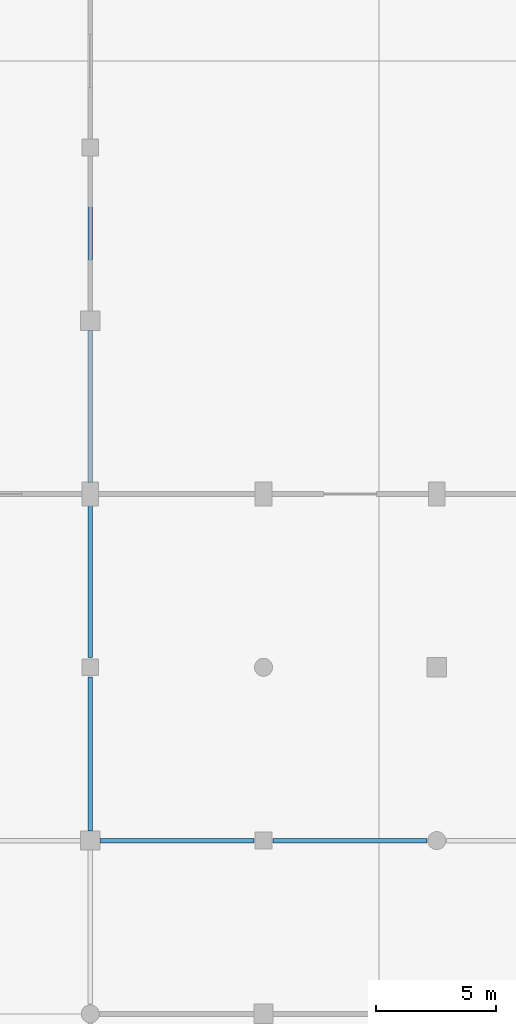
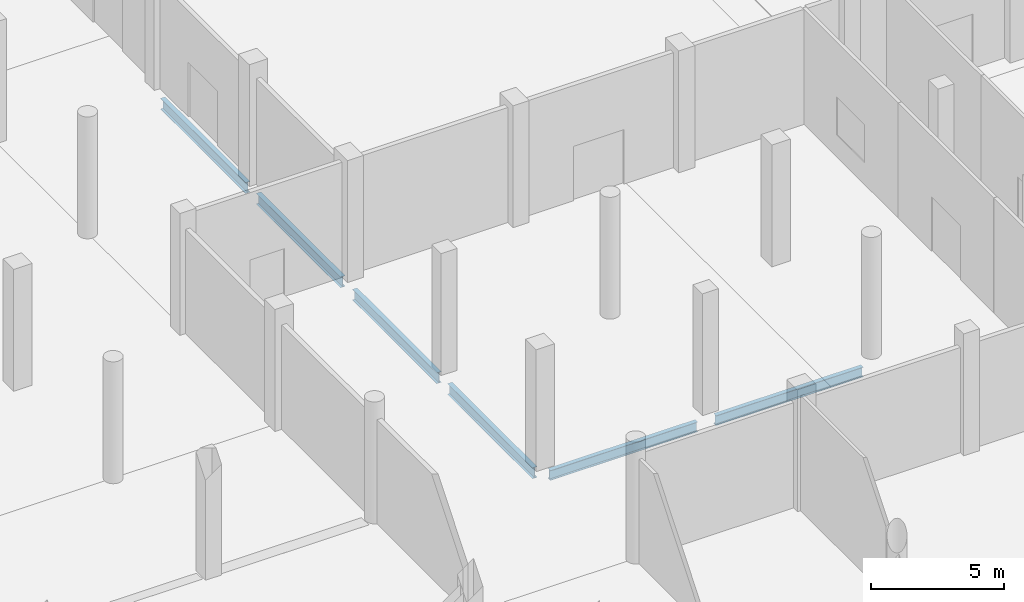
# One storey, part 19 of 85: 6 beams.
"""IFC4 building model written with IfcOpenShell, lengths in metres."""

from ifc_helpers import new_model, si_unit, direction, frame, origin, origin_2d, place, context, subcontext, project, spatial, i_section, extrude, material, material_profile, profile_set, type_object, element, save


model = new_model("IFC4")

# Units and contexts
model_context = context("Model", 3, precision=1e-05, world=origin(), true_north=direction((0.0, 1.0)))
body_context = subcontext(model_context, "Body", "Model", "MODEL_VIEW")
ifc_project = project(units=[si_unit("LENGTHUNIT", "METRE"), si_unit("AREAUNIT", "SQUARE_METRE"), si_unit("VOLUMEUNIT", "CUBIC_METRE"), si_unit("PLANEANGLEUNIT", "RADIAN"), si_unit("MASSUNIT", "GRAM", prefix="KILO")], contexts=[model_context])

# Site, building, storey
site_placement = place(None, origin())
site = spatial("IfcSite", under=ifc_project, at=site_placement, CompositionType="ELEMENT")
building_placement = place(site_placement, origin())
building = spatial("IfcBuilding", under=site, at=building_placement, Name="Sardonyx Promenade Sports Hall", CompositionType="ELEMENT")
storey_placement = place(building_placement, origin())
storey = spatial("IfcBuildingStorey", under=building, at=storey_placement, Name="L00", CompositionType="ELEMENT", Elevation=0.0)

# Beams
ifc_material_1 = material(Name="Steel S355JR", Category="steel")
ifc_material_profile_1 = material_profile(ifc_material_1, i_section(OverallWidth=0.18994140625, OverallDepth=0.453369140625, WebThickness=0.008544921875, FlangeThickness=0.0126953125, at=origin_2d()))
ifc_profile_set_1 = profile_set([ifc_material_profile_1], Name="Steel S355JR")
beam_type_1 = type_object("IfcBeamType", Name="Bm_Girder_UB457", PredefinedType="BEAM", material=ifc_profile_set_1)
for number, where, z_axis, x_axis, name in (
    (1, (115.60009765625, 36.0, -0.646728515625), (1.0, 0.0, 0.0), (0.0, 1.0, 0.0), "Beam SB01 L00 #116"),
    (2, (122.800048828125, 36.0, -0.646728515625), (1.0, 0.0, 0.0), (0.0, 1.0, 0.0), "Beam SB01 L00 #117"),
):
    element("IfcBeam", number, at=place(storey_placement, frame(where, z_axis=z_axis, x_axis=x_axis)), inside=storey, type_object=beam_type_1, Name=name, PredefinedType="BEAM", context=body_context, shape_type="SweptSolid", body=[
        extrude(i_section(OverallWidth=0.18994140625, OverallDepth=0.453369140625, WebThickness=0.008544921875, FlangeThickness=0.0126953125, at=origin_2d()), origin(), (0.0, 0.0, 1.0), 6.39990234375),
    ])
ifc_material_2 = material(Name="Steel S355JR", Category="steel")
ifc_material_profile_2 = material_profile(ifc_material_2, i_section(OverallWidth=0.199951171875, OverallDepth=0.5, WebThickness=0.01025390625, FlangeThickness=0.01611328125, at=origin_2d()))
ifc_profile_set_2 = profile_set([ifc_material_profile_2], Name="Steel S355JR")
beam_type_2 = type_object("IfcBeamType", Name="Bm_Primary_IPE500", PredefinedType="BEAM", material=ifc_profile_set_2)
beam_1_placement = place(storey_placement, frame((115.199951171875, 36.39990234375, -0.669921875), z_axis=(0.0, 1.0, 0.0), x_axis=(-1.0, 0.0, 0.0)))
element("IfcBeam", 3, at=beam_1_placement, inside=storey, type_object=beam_type_2, Name="Beam SB06 L00 #153", PredefinedType="BEAM", context=body_context, shape_type="SweptSolid", body=[
    extrude(i_section(OverallWidth=0.199951171875, OverallDepth=0.5, WebThickness=0.01025390625, FlangeThickness=0.01611328125, at=origin_2d()), origin(), (0.0, 0.0, 1.0), 6.400146484375),
])
for number, where, z_axis, x_axis, name in (
    (4, (115.199951171875, 43.60009765625, -0.669921875), (0.0, 1.0, 0.0), (-1.0, 0.0, 0.0), "Beam SB06 L00 #154"),
    (5, (115.199951171875, 50.85009765625, -0.659912109375), (0.0, 1.0, 0.0), (-1.0, 0.0, 0.0), "Beam SB06 L00 #155"),
):
    element("IfcBeam", number, at=place(storey_placement, frame(where, z_axis=z_axis, x_axis=x_axis)), inside=storey, type_object=beam_type_2, Name=name, PredefinedType="BEAM", context=body_context, shape_type="SweptSolid", body=[
        extrude(i_section(OverallWidth=0.199951171875, OverallDepth=0.5, WebThickness=0.01025390625, FlangeThickness=0.01611328125, at=origin_2d()), origin(), (0.0, 0.0, 1.0), 6.349853515625),
    ])
beam_2_placement = place(storey_placement, frame((115.199951171875, 58.0, -0.659912109375), z_axis=(0.0, 1.0, 0.0), x_axis=(-1.0, 0.0, 0.0)))
element("IfcBeam", 6, at=beam_2_placement, inside=storey, type_object=beam_type_2, Name="Beam SB06 L00 #156", PredefinedType="BEAM", context=body_context, shape_type="SweptSolid", body=[
    extrude(i_section(OverallWidth=0.199951171875, OverallDepth=0.5, WebThickness=0.01025390625, FlangeThickness=0.01611328125, at=origin_2d()), origin(), (0.0, 0.0, 1.0), 6.39990234375),
])

save(model, "model.ifc")
